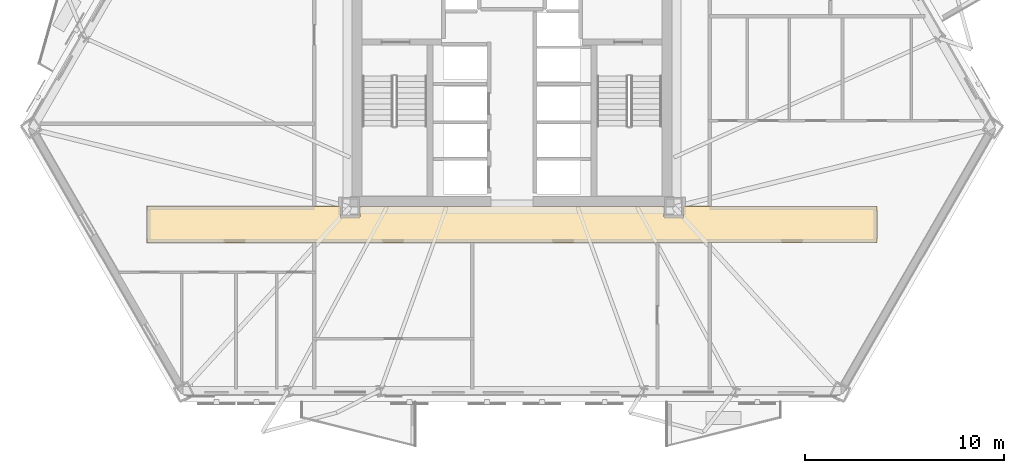
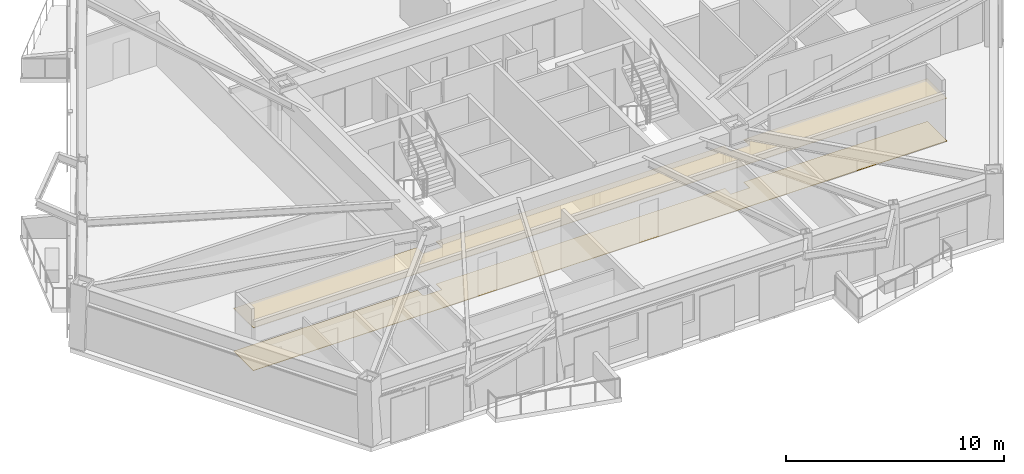
# One storey, part 9 of 13: 2 coverings.
"""IFC4 building model written with IfcOpenShell, lengths in metres."""

from ifc_helpers import new_model, si_unit, direction, frame, origin, place, context, subcontext, project, spatial, polyline, outline, extrude, material, layer, layer_set, type_object, element, save


model = new_model("IFC4")

# Units and contexts
model_context = context("Model", 3, precision=1e-05, world=origin(), true_north=direction((0.0, 1.0)))
body_context = subcontext(model_context, "Body", "Model", "MODEL_VIEW")
ifc_project = project(units=[si_unit("LENGTHUNIT", "METRE"), si_unit("AREAUNIT", "SQUARE_METRE"), si_unit("VOLUMEUNIT", "CUBIC_METRE"), si_unit("PLANEANGLEUNIT", "RADIAN"), si_unit("MASSUNIT", "GRAM", prefix="KILO")], contexts=[model_context])

# Site, building, storey
site_placement = place(None, origin())
site = spatial("IfcSite", under=ifc_project, at=site_placement, CompositionType="ELEMENT")
building_placement = place(site_placement, origin())
building = spatial("IfcBuilding", under=site, at=building_placement, Name="Oramaril Tower", CompositionType="ELEMENT")
storey_placement = place(building_placement, frame((0.0, 0.0, 38.10009765625)))
storey = spatial("IfcBuildingStorey", under=building, at=storey_placement, Name="L09", CompositionType="ELEMENT", Elevation=38.10009765625)

# Coverings
ifc_material_1 = material(Name="Mineral Fibre Acoustic Ceiling")
ifc_layer_1 = layer(ifc_material_1, 0.02001953125)
ifc_layer_set_1 = layer_set([ifc_layer_1], Name="CVT-CEIL")
covering_type_1 = type_object("IfcCoveringType", Name="CVT-CEIL", PredefinedType="CEILING", material=ifc_layer_set_1)
covering_1_placement = place(storey_placement, frame((0.0, 0.0, 2.39990234375)))
element("IfcCovering", 1, at=covering_1_placement, inside=storey, type_object=covering_type_1, Name="L09 Acoustic Suspended Ceiling 1", PredefinedType="CEILING", context=body_context, shape_type="SweptSolid", body=[
    extrude(outline(polyline([(28.85498046875, 10.5048828125), (29.844970703125, 10.5048828125), (29.844970703125, 11.030029296875), (45.155029296875, 11.030029296875), (45.155029296875, 10.5048828125), (46.14501953125, 10.5048828125), (46.14501953125, 11.030029296875), (55.8798828125, 11.030029296875), (55.8798828125, 9.219970703125), (19.1201171875, 9.219970703125), (19.1201171875, 11.030029296875), (28.85498046875, 11.030029296875), (28.85498046875, 10.5048828125)])), origin(), (0.0, 0.0, 1.0), 0.02001953125),
])
ifc_material_2 = material(Name="Honed Quartzite Stone Flooring", Category="masonry")
ifc_layer_2 = layer(ifc_material_2, 0.02490234375)
ifc_layer_set_2 = layer_set([ifc_layer_2], Name="CVT-FLR")
covering_type_2 = type_object("IfcCoveringType", Name="CVT-FLR", PredefinedType="FLOORING", material=ifc_layer_set_2)
covering_2_placement = place(storey_placement, origin())
element("IfcCovering", 2, at=covering_2_placement, inside=storey, type_object=covering_type_2, Name="L09 Honed Stone Floor Finish 1", PredefinedType="FLOORING", context=body_context, shape_type="SweptSolid", body=[
    extrude(outline(polyline([(28.85498046875, 10.5048828125), (29.844970703125, 10.5048828125), (29.844970703125, 11.030029296875), (45.155029296875, 11.030029296875), (45.155029296875, 10.5048828125), (46.14501953125, 10.5048828125), (46.14501953125, 11.030029296875), (55.8798828125, 11.030029296875), (55.8798828125, 9.219970703125), (19.1201171875, 9.219970703125), (19.1201171875, 11.030029296875), (28.85498046875, 11.030029296875), (28.85498046875, 10.5048828125)])), origin(), (0.0, 0.0, 1.0), 0.02490234375),
])

save(model, "model.ifc")
